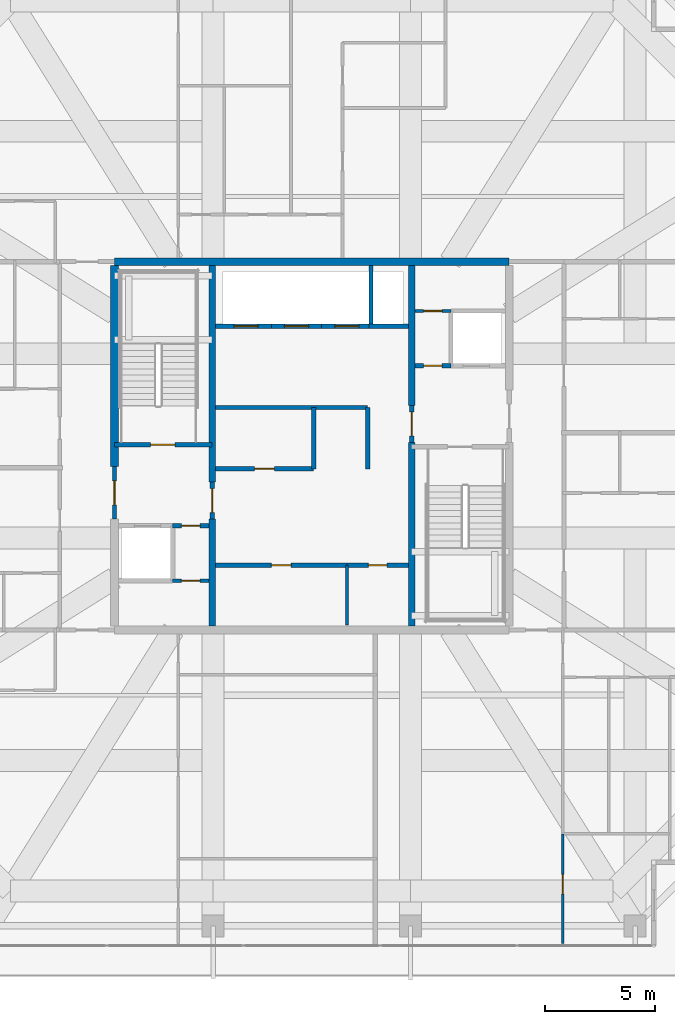
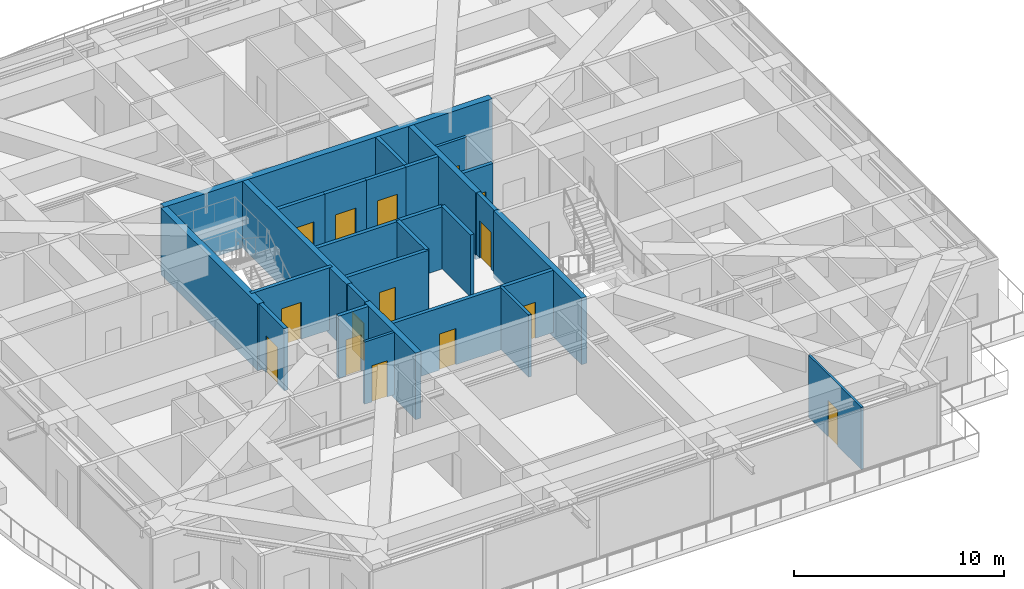
# One storey, part 30 of 40: 27 walls, 15 doors, 15 openings.
"""IFC4 building model written with IfcOpenShell, lengths in metres."""

from ifc_helpers import new_model, si_unit, direction, frame, frame_2d, origin, place, context, subcontext, project, spatial, rectangle, extrude, source, transform, mapped, material, layer, layer_set, type_object, element, fill, save


model = new_model("IFC4")

# Units and contexts
model_context = context("Model", 3, precision=1e-05, world=origin(), true_north=direction((0.0, 1.0)))
body_context = subcontext(model_context, "Body", "Model", "MODEL_VIEW")
ifc_project = project(units=[si_unit("LENGTHUNIT", "METRE"), si_unit("AREAUNIT", "SQUARE_METRE"), si_unit("VOLUMEUNIT", "CUBIC_METRE"), si_unit("PLANEANGLEUNIT", "RADIAN"), si_unit("MASSUNIT", "GRAM", prefix="KILO")], contexts=[model_context])

# Site, building, storey
site_placement = place(None, origin())
site = spatial("IfcSite", under=ifc_project, at=site_placement, CompositionType="ELEMENT")
building_placement = place(site_placement, origin())
building = spatial("IfcBuilding", under=site, at=building_placement, Name="Serunith Strait Residences", CompositionType="ELEMENT")
storey_placement = place(building_placement, frame((0.0, 0.0, 333.949951171875)))
storey = spatial("IfcBuildingStorey", under=building, at=storey_placement, Name="L83", CompositionType="ELEMENT", Elevation=333.949951171875)

# Wall, opening, door
ifc_material_1 = material(Name="Fire-rated masonry service closet wall", Category="masonry")
ifc_layer_1 = layer(ifc_material_1, 0.14990234375, Name="Fire-rated masonry service closet wall")
ifc_layer_set_1 = layer_set([ifc_layer_1], Name="Fire-rated masonry service closet wall")
wall_type_1 = type_object("IfcWallType", Name="IW-BOH-150", PredefinedType="PARTITIONING", material=ifc_layer_set_1)
wall_1_placement = place(storey_placement, frame((26.052001953125, 19.050048828125, 0.0), z_axis=(0.0, 0.0, 1.0), x_axis=(1.0, 0.0, 0.0)))
wall_1 = element("IfcWall", 1, at=wall_1_placement, inside=storey, type_object=wall_type_1, Name="L83 Partition Wall 011", PredefinedType="PARTITIONING", context=body_context, shape_type="SweptSolid", body=[
    extrude(rectangle(XDim=1.64794921875, YDim=0.14990234375, at=frame_2d((0.823974609375, 0.0))), origin(), (0.0, 0.0, 1.0), 3.610107421875),
])
opening_1_placement = place(wall_1_placement, frame((0.39892578125, 0.0, 0.0)))
opening_1 = element("IfcOpeningElement", 2, at=opening_1_placement, cuts=wall_1, Name="Opening FD-850", PredefinedType="OPENING", context=body_context, shape_type="SweptSolid", body=[
    extrude(rectangle(XDim=0.85009765625, YDim=2.10009765625, at=frame_2d((0.425048828125, 1.050048828125))), frame((0.0, 0.0849609375, 0.0), z_axis=(0.0, -1.0, 0.0), x_axis=(1.0, 0.0, 0.0)), (0.0, 0.0, 1.0), 0.169921875),
])
ifc_material_2 = material(Name="Powder-coated steel service closet door", Category="steel")
door_type_1 = type_object("IfcDoorType", Name="FD-BOH-850", OperationType="NOTDEFINED", PredefinedType="DOOR", material=ifc_material_2)
shared_shape_1 = source(origin(), body_context, "Body", "SweptSolid", [
    extrude(rectangle(XDim=0.85009765625, YDim=2.10009765625, at=frame_2d((0.425048828125, 1.050048828125))), frame((0.0, 0.02490234375, 0.0), z_axis=(0.0, -1.0, 0.0), x_axis=(1.0, 0.0, 0.0)), (0.0, 0.0, 1.0), 0.050048828125),
])
door_1_placement = place(opening_1_placement, origin())
door_1 = element("IfcDoor", 3, at=door_1_placement, inside=storey, type_object=door_type_1, Name="L83 Water Meter Door", OperationType="SINGLE_SWING_RIGHT", OverallHeight=2.10009765625, OverallWidth=0.85009765625, PredefinedType="DOOR", context=body_context, shape_type="MappedRepresentation", body=[
    mapped(shared_shape_1, transform((0.0, 0.0, 0.0), scale=1.0)),
])
fill(opening_1, door_1)

wall_2_placement = place(storey_placement, frame((37.10009765625, 31.35009765625, 0.0), z_axis=(0.0, 0.0, 1.0), x_axis=(1.0, 0.0, 0.0)))
wall_2 = element("IfcWall", 4, at=wall_2_placement, inside=storey, type_object=wall_type_1, Name="L83 Partition Wall 012", PredefinedType="PARTITIONING", context=body_context, shape_type="SweptSolid", body=[
    extrude(rectangle(XDim=1.64794921875, YDim=0.14990234375, at=frame_2d((0.823974609375, 0.0))), origin(), (0.0, 0.0, 1.0), 3.610107421875),
])
opening_2_placement = place(wall_2_placement, frame((0.39892578125, 0.0, 0.0)))
opening_2 = element("IfcOpeningElement", 5, at=opening_2_placement, cuts=wall_2, Name="Opening FD-850", PredefinedType="OPENING", context=body_context, shape_type="SweptSolid", body=[
    extrude(rectangle(XDim=0.85009765625, YDim=2.10009765625, at=frame_2d((0.425048828125, 1.050048828125))), frame((0.0, 0.0849609375, 0.0), z_axis=(0.0, -1.0, 0.0), x_axis=(1.0, 0.0, 0.0)), (0.0, 0.0, 1.0), 0.169921875),
])
door_2_placement = place(opening_2_placement, origin())
door_2 = element("IfcDoor", 6, at=door_2_placement, inside=storey, type_object=door_type_1, Name="L83 Refuse Store Door", OperationType="SINGLE_SWING_LEFT", OverallHeight=2.10009765625, OverallWidth=0.85009765625, PredefinedType="DOOR", context=body_context, shape_type="MappedRepresentation", body=[
    mapped(shared_shape_1, transform((0.0, 0.0, 0.0), scale=1.0)),
])
fill(opening_2, door_2)

# Wall
wall_3_placement = place(storey_placement, frame((34.0, 17.02001953125, 0.0), z_axis=(0.0, 0.0, 1.0), x_axis=(0.0, 1.0, 0.0)))
element("IfcWall", 7, at=wall_3_placement, inside=storey, type_object=wall_type_1, Name="L83 Partition Wall 015", PredefinedType="PARTITIONING", context=body_context, shape_type="SweptSolid", body=[
    extrude(rectangle(XDim=2.72998046875, YDim=0.14990234375, at=frame_2d((1.364990234375, 0.0))), origin(), (0.0, 0.0, 1.0), 3.610107421875),
])

# Wall, opening, door
ifc_material_3 = material(Name="Lightweight steel-stud gypsum partition", Category="steel")
ifc_layer_2 = layer(ifc_material_3, 0.1201171875, Name="Lightweight steel-stud gypsum partition")
ifc_layer_set_2 = layer_set([ifc_layer_2], Name="Lightweight steel-stud gypsum partition")
wall_type_2 = type_object("IfcWallType", Name="IW-PART-120", PredefinedType="PARTITIONING", material=ifc_layer_set_2)
wall_4_placement = place(storey_placement, frame((43.85009765625, 2.4951171875, 0.0), z_axis=(0.0, 0.0, 1.0), x_axis=(0.0, 1.0, 0.0)))
wall_4 = element("IfcWall", 8, at=wall_4_placement, inside=storey, type_object=wall_type_2, Name="L83 Partition Wall 046", PredefinedType="PARTITIONING", context=body_context, shape_type="SweptSolid", body=[
    extrude(rectangle(XDim=5.0078125, YDim=0.1201171875, at=frame_2d((2.50390625, 0.0))), origin(), (0.0, 0.0, 1.0), 3.610107421875),
])
opening_3_placement = place(wall_4_placement, frame((2.259033203125, 0.0, 0.0)))
opening_3 = element("IfcOpeningElement", 9, at=opening_3_placement, cuts=wall_4, Name="Opening D-RM900", PredefinedType="OPENING", context=body_context, shape_type="SweptSolid", body=[
    extrude(rectangle(XDim=0.89990234375, YDim=2.10009765625, at=frame_2d((0.449951171875, 1.050048828125))), frame((0.0, 0.070068359375, 0.0), z_axis=(0.0, -1.0, 0.0), x_axis=(1.0, 0.0, 0.0)), (0.0, 0.0, 1.0), 0.14013671875),
])
ifc_material_4 = material(Name="Engineered timber flush bedroom door", Category="wood")
door_type_2 = type_object("IfcDoorType", Name="ID-ROOM-900", OperationType="NOTDEFINED", PredefinedType="DOOR", material=ifc_material_4)
shared_shape_2 = source(origin(), body_context, "Body", "SweptSolid", [
    extrude(rectangle(XDim=0.89990234375, YDim=2.10009765625, at=frame_2d((0.449951171875, 1.050048828125))), frame((0.0, 0.02490234375, 0.0), z_axis=(0.0, -1.0, 0.0), x_axis=(1.0, 0.0, 0.0)), (0.0, 0.0, 1.0), 0.050048828125),
])
door_3_placement = place(opening_3_placement, origin())
door_3 = element("IfcDoor", 10, at=door_3_placement, inside=storey, type_object=door_type_2, Name="L83 Study 1 8302 Door", OperationType="SINGLE_SWING_RIGHT", OverallHeight=2.10009765625, OverallWidth=0.89990234375, PredefinedType="DOOR", context=body_context, shape_type="MappedRepresentation", body=[
    mapped(shared_shape_2, transform((0.0, 0.0, 0.0), scale=1.0)),
])
fill(opening_3, door_3)

ifc_material_5 = material(Name="Autoclaved aerated concrete blockwork", Category="masonry")
ifc_layer_3 = layer(ifc_material_5, 0.199951171875, Name="Autoclaved aerated concrete blockwork")
ifc_layer_set_3 = layer_set([ifc_layer_3], Name="Autoclaved aerated concrete blockwork")
wall_type_3 = type_object("IfcWallType", Name="IW-SHAFT-200", PredefinedType="STANDARD", material=ifc_layer_set_3)
wall_5_placement = place(storey_placement, frame((23.39990234375, 25.25, 0.0), z_axis=(0.0, 0.0, 1.0), x_axis=(1.0, 0.0, 0.0)))
wall_5 = element("IfcWall", 11, at=wall_5_placement, inside=storey, type_object=wall_type_3, Name="L83 ST-1 South Shaft Wall", PredefinedType="STANDARD", context=body_context, shape_type="SweptSolid", body=[
    extrude(rectangle(XDim=4.4501953125, YDim=0.199951171875, at=frame_2d((2.22509765625, 0.0))), origin(), (0.0, 0.0, 1.0), 3.610107421875),
])
opening_4_placement = place(wall_5_placement, frame((1.64990234375, 0.0, 0.0)))
opening_4 = element("IfcOpeningElement", 12, at=opening_4_placement, cuts=wall_5, Name="Opening FD-1100", PredefinedType="OPENING", context=body_context, shape_type="SweptSolid", body=[
    extrude(rectangle(XDim=1.10009765625, YDim=2.14990234375, at=frame_2d((0.550048828125, 1.074951171875))), frame((0.0, 0.10986328125, 0.0), z_axis=(0.0, -1.0, 0.0), x_axis=(1.0, 0.0, 0.0)), (0.0, 0.0, 1.0), 0.219970703125),
])
ifc_material_6 = material(Name="Galvanised steel fire door leaf", Category="steel")
door_type_3 = type_object("IfcDoorType", Name="FD-STAIR-1100", OperationType="NOTDEFINED", PredefinedType="DOOR", material=ifc_material_6)
shared_shape_3 = source(origin(), body_context, "Body", "SweptSolid", [
    extrude(rectangle(XDim=1.10009765625, YDim=2.14990234375, at=frame_2d((0.550048828125, 1.074951171875))), frame((0.0, 0.02490234375, 0.0), z_axis=(0.0, -1.0, 0.0), x_axis=(1.0, 0.0, 0.0)), (0.0, 0.0, 1.0), 0.050048828125),
])
door_4_placement = place(opening_4_placement, origin())
door_4 = element("IfcDoor", 13, at=door_4_placement, inside=storey, type_object=door_type_3, Name="L83 ST-1 Escape Stair Door", OperationType="SINGLE_SWING_LEFT", OverallHeight=2.14990234375, OverallWidth=1.10009765625, PredefinedType="DOOR", context=body_context, shape_type="MappedRepresentation", body=[
    mapped(shared_shape_3, transform((0.0, 0.0, 0.0), scale=1.0)),
])
fill(opening_4, door_4)

wall_6_placement = place(storey_placement, frame((28.0, 30.64990234375, 0.0), z_axis=(0.0, 0.0, 1.0), x_axis=(1.0, 0.0, 0.0)))
wall_6 = element("IfcWall", 14, at=wall_6_placement, inside=storey, type_object=wall_type_3, Name="L83 PL-7 South Shaft Wall", PredefinedType="STANDARD", context=body_context, shape_type="SweptSolid", body=[
    extrude(rectangle(XDim=2.550048828125, YDim=0.199951171875, at=frame_2d((1.27490234375, 0.0))), origin(), (0.0, 0.0, 1.0), 3.610107421875),
])
opening_5_placement = place(wall_6_placement, frame((0.85009765625, 0.0, 0.0)))
opening_5 = element("IfcOpeningElement", 15, at=opening_5_placement, cuts=wall_6, Name="Opening LD-1100", PredefinedType="OPENING", context=body_context, shape_type="SweptSolid", body=[
    extrude(rectangle(XDim=1.10009765625, YDim=2.199951171875, at=frame_2d((0.550048828125, 1.10009765625))), frame((0.0, 0.10986328125, 0.0), z_axis=(0.0, -1.0, 0.0), x_axis=(1.0, 0.0, 0.0)), (0.0, 0.0, 1.0), 0.219970703125),
])
ifc_material_7 = material(Name="Pale-champagne stainless landing door")
door_type_4 = type_object("IfcDoorType", Name="LD-LIFT-1100", OperationType="DOUBLE_DOOR_SLIDING", PredefinedType="DOOR", material=ifc_material_7)
shared_shape_4 = source(origin(), body_context, "Body", "SweptSolid", [
    extrude(rectangle(XDim=1.10009765625, YDim=2.199951171875, at=frame_2d((0.550048828125, 1.10009765625))), frame((0.0, 0.02490234375, 0.0), z_axis=(0.0, -1.0, 0.0), x_axis=(1.0, 0.0, 0.0)), (0.0, 0.0, 1.0), 0.050048828125),
])
door_5_placement = place(opening_5_placement, origin())
door_5 = element("IfcDoor", 16, at=door_5_placement, inside=storey, type_object=door_type_4, Name="L83 PL-7 Landing Door", OperationType="DOUBLE_DOOR_SLIDING", OverallHeight=2.199951171875, OverallWidth=1.10009765625, PredefinedType="DOOR", context=body_context, shape_type="MappedRepresentation", body=[
    mapped(shared_shape_4, transform((0.0, 0.0, 0.0), scale=1.0)),
])
fill(opening_5, door_5)

wall_7_placement = place(storey_placement, frame((30.550048828125, 30.64990234375, 0.0), z_axis=(0.0, 0.0, 1.0), x_axis=(1.0, 0.0, 0.0)))
wall_7 = element("IfcWall", 17, at=wall_7_placement, inside=storey, type_object=wall_type_3, Name="L83 PL-8 South Shaft Wall", PredefinedType="STANDARD", context=body_context, shape_type="SweptSolid", body=[
    extrude(rectangle(XDim=2.300048828125, YDim=0.199951171875, at=frame_2d((1.14990234375, 0.0))), origin(), (0.0, 0.0, 1.0), 3.610107421875),
])
opening_6_placement = place(wall_7_placement, frame((0.60009765625, 0.0, 0.0)))
opening_6 = element("IfcOpeningElement", 18, at=opening_6_placement, cuts=wall_7, Name="Opening LD-1100", PredefinedType="OPENING", context=body_context, shape_type="SweptSolid", body=[
    extrude(rectangle(XDim=1.10009765625, YDim=2.199951171875, at=frame_2d((0.550048828125, 1.10009765625))), frame((0.0, 0.10986328125, 0.0), z_axis=(0.0, -1.0, 0.0), x_axis=(1.0, 0.0, 0.0)), (0.0, 0.0, 1.0), 0.219970703125),
])
door_6_placement = place(opening_6_placement, origin())
door_6 = element("IfcDoor", 19, at=door_6_placement, inside=storey, type_object=door_type_4, Name="L83 PL-8 Landing Door", OperationType="DOUBLE_DOOR_SLIDING", OverallHeight=2.199951171875, OverallWidth=1.10009765625, PredefinedType="DOOR", context=body_context, shape_type="MappedRepresentation", body=[
    mapped(shared_shape_4, transform((0.0, 0.0, 0.0), scale=1.0)),
])
fill(opening_6, door_6)

wall_8_placement = place(storey_placement, frame((32.85009765625, 30.64990234375, 0.0), z_axis=(0.0, 0.0, 1.0), x_axis=(1.0, 0.0, 0.0)))
wall_8 = element("IfcWall", 20, at=wall_8_placement, inside=storey, type_object=wall_type_3, Name="L83 PL-9 South Shaft Wall", PredefinedType="STANDARD", context=body_context, shape_type="SweptSolid", body=[
    extrude(rectangle(XDim=2.14990234375, YDim=0.199951171875, at=frame_2d((1.074951171875, 0.0))), origin(), (0.0, 0.0, 1.0), 3.610107421875),
])
opening_7_placement = place(wall_8_placement, frame((0.60009765625, 0.0, 0.0)))
opening_7 = element("IfcOpeningElement", 21, at=opening_7_placement, cuts=wall_8, Name="Opening LD-1100", PredefinedType="OPENING", context=body_context, shape_type="SweptSolid", body=[
    extrude(rectangle(XDim=1.10009765625, YDim=2.199951171875, at=frame_2d((0.550048828125, 1.10009765625))), frame((0.0, 0.10986328125, 0.0), z_axis=(0.0, -1.0, 0.0), x_axis=(1.0, 0.0, 0.0)), (0.0, 0.0, 1.0), 0.219970703125),
])
door_7_placement = place(opening_7_placement, origin())
door_7 = element("IfcDoor", 22, at=door_7_placement, inside=storey, type_object=door_type_4, Name="L83 PL-9 Landing Door", OperationType="DOUBLE_DOOR_SLIDING", OverallHeight=2.199951171875, OverallWidth=1.10009765625, PredefinedType="DOOR", context=body_context, shape_type="MappedRepresentation", body=[
    mapped(shared_shape_4, transform((0.0, 0.0, 0.0), scale=1.0)),
])
fill(opening_7, door_7)

# Walls
wall_9_placement = place(storey_placement, frame((35.0, 30.64990234375, 0.0), z_axis=(0.0, 0.0, 1.0), x_axis=(1.0, 0.0, 0.0)))
element("IfcWall", 23, at=wall_9_placement, inside=storey, type_object=wall_type_3, Name="L83 SL-1 South Shaft Wall", PredefinedType="STANDARD", context=body_context, shape_type="SweptSolid", body=[
    extrude(rectangle(XDim=1.800048828125, YDim=0.199951171875, at=frame_2d((0.89990234375, 0.0))), origin(), (0.0, 0.0, 1.0), 3.610107421875),
])
wall_10_placement = place(storey_placement, frame((35.10009765625, 30.75, 0.0), z_axis=(0.0, 0.0, 1.0), x_axis=(0.0, 1.0, 0.0)))
element("IfcWall", 24, at=wall_10_placement, inside=storey, type_object=wall_type_3, Name="L83 SL-1 West Shaft Wall", PredefinedType="STANDARD", context=body_context, shape_type="SweptSolid", body=[
    extrude(rectangle(XDim=2.675048828125, YDim=0.199951171875, at=frame_2d((1.33740234375, 0.0))), origin(), (0.0, 0.0, 1.0), 3.610107421875),
])

# Wall, opening, door
wall_11_placement = place(storey_placement, frame((26.052001953125, 21.550048828125, 0.0), z_axis=(0.0, 0.0, 1.0), x_axis=(1.0, 0.0, 0.0)))
wall_11 = element("IfcWall", 25, at=wall_11_placement, inside=storey, type_object=wall_type_3, Name="L83 Partition Wall 003", PredefinedType="STANDARD", context=body_context, shape_type="SweptSolid", body=[
    extrude(rectangle(XDim=1.64794921875, YDim=0.199951171875, at=frame_2d((0.823974609375, 0.0))), origin(), (0.0, 0.0, 1.0), 3.610107421875),
])
opening_8_placement = place(wall_11_placement, frame((0.39892578125, 0.0, 0.0)))
opening_8 = element("IfcOpeningElement", 26, at=opening_8_placement, cuts=wall_11, Name="Opening FD-850", PredefinedType="OPENING", context=body_context, shape_type="SweptSolid", body=[
    extrude(rectangle(XDim=0.85009765625, YDim=2.10009765625, at=frame_2d((0.425048828125, 1.050048828125))), frame((0.0, 0.10986328125, 0.0), z_axis=(0.0, -1.0, 0.0), x_axis=(1.0, 0.0, 0.0)), (0.0, 0.0, 1.0), 0.219970703125),
])
door_8_placement = place(opening_8_placement, origin())
door_8 = element("IfcDoor", 27, at=door_8_placement, inside=storey, type_object=door_type_1, Name="L83 South-West Core Service Door", OperationType="SINGLE_SWING_RIGHT", OverallHeight=2.10009765625, OverallWidth=0.85009765625, PredefinedType="DOOR", context=body_context, shape_type="MappedRepresentation", body=[
    mapped(shared_shape_1, transform((0.0, 0.0, 0.0), scale=1.0)),
])
fill(opening_8, door_8)

wall_12_placement = place(storey_placement, frame((37.10009765625, 28.85009765625, 0.0), z_axis=(0.0, 0.0, 1.0), x_axis=(1.0, 0.0, 0.0)))
wall_12 = element("IfcWall", 28, at=wall_12_placement, inside=storey, type_object=wall_type_3, Name="L83 Partition Wall 006", PredefinedType="STANDARD", context=body_context, shape_type="SweptSolid", body=[
    extrude(rectangle(XDim=1.64794921875, YDim=0.199951171875, at=frame_2d((0.823974609375, 0.0))), origin(), (0.0, 0.0, 1.0), 3.610107421875),
])
opening_9_placement = place(wall_12_placement, frame((0.39892578125, 0.0, 0.0)))
opening_9 = element("IfcOpeningElement", 29, at=opening_9_placement, cuts=wall_12, Name="Opening FD-850", PredefinedType="OPENING", context=body_context, shape_type="SweptSolid", body=[
    extrude(rectangle(XDim=0.85009765625, YDim=2.10009765625, at=frame_2d((0.425048828125, 1.050048828125))), frame((0.0, 0.10986328125, 0.0), z_axis=(0.0, -1.0, 0.0), x_axis=(1.0, 0.0, 0.0)), (0.0, 0.0, 1.0), 0.219970703125),
])
door_9_placement = place(opening_9_placement, origin())
door_9 = element("IfcDoor", 30, at=door_9_placement, inside=storey, type_object=door_type_1, Name="L83 North-East Core Service Door", OperationType="SINGLE_SWING_LEFT", OverallHeight=2.10009765625, OverallWidth=0.85009765625, PredefinedType="DOOR", context=body_context, shape_type="MappedRepresentation", body=[
    mapped(shared_shape_1, transform((0.0, 0.0, 0.0), scale=1.0)),
])
fill(opening_9, door_9)

wall_13_placement = place(storey_placement, frame((23.39990234375, 21.85205078125, 0.0), z_axis=(0.0, 0.0, 1.0), x_axis=(0.0, 1.0, 0.0)))
wall_13 = element("IfcWall", 31, at=wall_13_placement, inside=storey, type_object=wall_type_3, Name="L83 Partition Wall 007", PredefinedType="STANDARD", context=body_context, shape_type="SweptSolid", body=[
    extrude(rectangle(XDim=2.39599609375, YDim=0.199951171875, at=frame_2d((1.197998046875, 0.0))), origin(), (0.0, 0.0, 1.0), 3.610107421875),
])
opening_10_placement = place(wall_13_placement, frame((0.64794921875, 0.0, 0.0)))
opening_10 = element("IfcOpeningElement", 32, at=opening_10_placement, cuts=wall_13, Name="Opening FD-FFL", PredefinedType="OPENING", context=body_context, shape_type="SweptSolid", body=[
    extrude(rectangle(XDim=1.10009765625, YDim=2.14990234375, at=frame_2d((0.550048828125, 1.074951171875))), frame((0.0, 0.10986328125, 0.0), z_axis=(0.0, -1.0, 0.0), x_axis=(1.0, 0.0, 0.0)), (0.0, 0.0, 1.0), 0.219970703125),
])
ifc_material_8 = material(Name="Glazed steel smoke-lobby fire door", Category="steel")
door_type_5 = type_object("IfcDoorType", Name="FD-FFL-1100", OperationType="NOTDEFINED", PredefinedType="DOOR", material=ifc_material_8)
door_10_placement = place(opening_10_placement, origin())
door_10 = element("IfcDoor", 33, at=door_10_placement, inside=storey, type_object=door_type_5, Name="L83 FFL-1 Corridor Fire Door", OperationType="SINGLE_SWING_RIGHT", OverallHeight=2.14990234375, OverallWidth=1.10009765625, PredefinedType="DOOR", context=body_context, shape_type="MappedRepresentation", body=[
    mapped(shared_shape_3, transform((0.0, 0.0, 0.0), scale=1.0)),
])
fill(opening_10, door_10)

wall_14_placement = place(storey_placement, frame((27.85009765625, 21.85205078125, 0.0), z_axis=(0.0, 0.0, 1.0), x_axis=(0.0, 1.0, 0.0)))
wall_14 = element("IfcWall", 34, at=wall_14_placement, inside=storey, type_object=wall_type_3, Name="L83 Partition Wall 009", PredefinedType="STANDARD", context=body_context, shape_type="SweptSolid", body=[
    extrude(rectangle(XDim=1.696044921875, YDim=0.199951171875, at=frame_2d((0.84814453125, 0.0))), origin(), (0.0, 0.0, 1.0), 3.610107421875),
])
opening_11_placement = place(wall_14_placement, frame((0.298095703125, 0.0, 0.0)))
opening_11 = element("IfcOpeningElement", 35, at=opening_11_placement, cuts=wall_14, Name="Opening FD-FFL", PredefinedType="OPENING", context=body_context, shape_type="SweptSolid", body=[
    extrude(rectangle(XDim=1.10009765625, YDim=2.14990234375, at=frame_2d((0.550048828125, 1.074951171875))), frame((0.0, 0.10986328125, 0.0), z_axis=(0.0, -1.0, 0.0), x_axis=(1.0, 0.0, 0.0)), (0.0, 0.0, 1.0), 0.219970703125),
])
door_11_placement = place(opening_11_placement, origin())
door_11 = element("IfcDoor", 36, at=door_11_placement, inside=storey, type_object=door_type_5, Name="L83 FFL-1 Lift Lobby Door", OperationType="SINGLE_SWING_RIGHT", OverallHeight=2.14990234375, OverallWidth=1.10009765625, PredefinedType="DOOR", context=body_context, shape_type="MappedRepresentation", body=[
    mapped(shared_shape_3, transform((0.0, 0.0, 0.0), scale=1.0)),
])
fill(opening_11, door_11)

wall_15_placement = place(storey_placement, frame((36.949951171875, 25.35205078125, 0.0), z_axis=(0.0, 0.0, 1.0), x_axis=(0.0, 1.0, 0.0)))
wall_15 = element("IfcWall", 37, at=wall_15_placement, inside=storey, type_object=wall_type_3, Name="L83 Partition Wall 010", PredefinedType="STANDARD", context=body_context, shape_type="SweptSolid", body=[
    extrude(rectangle(XDim=1.696044921875, YDim=0.199951171875, at=frame_2d((0.84814453125, 0.0))), origin(), (0.0, 0.0, 1.0), 3.610107421875),
])
opening_12_placement = place(wall_15_placement, frame((0.298095703125, 0.0, 0.0)))
opening_12 = element("IfcOpeningElement", 38, at=opening_12_placement, cuts=wall_15, Name="Opening FD-FFL", PredefinedType="OPENING", context=body_context, shape_type="SweptSolid", body=[
    extrude(rectangle(XDim=1.10009765625, YDim=2.14990234375, at=frame_2d((0.550048828125, 1.074951171875))), frame((0.0, 0.10986328125, 0.0), z_axis=(0.0, -1.0, 0.0), x_axis=(1.0, 0.0, 0.0)), (0.0, 0.0, 1.0), 0.219970703125),
])
door_12_placement = place(opening_12_placement, origin())
door_12 = element("IfcDoor", 39, at=door_12_placement, inside=storey, type_object=door_type_5, Name="L83 FFL-2 Lift Lobby Door", OperationType="SINGLE_SWING_LEFT", OverallHeight=2.14990234375, OverallWidth=1.10009765625, PredefinedType="DOOR", context=body_context, shape_type="MappedRepresentation", body=[
    mapped(shared_shape_3, transform((0.0, 0.0, 0.0), scale=1.0)),
])
fill(opening_12, door_12)

wall_16_placement = place(storey_placement, frame((28.0, 19.75, 0.0), z_axis=(0.0, 0.0, 1.0), x_axis=(1.0, 0.0, 0.0)))
wall_16 = element("IfcWall", 40, at=wall_16_placement, inside=storey, type_object=wall_type_3, Name="L83 Partition Wall 013", PredefinedType="STANDARD", context=body_context, shape_type="SweptSolid", body=[
    extrude(rectangle(XDim=6.0, YDim=0.199951171875, at=frame_2d((3.0, 0.0))), origin(), (0.0, 0.0, 1.0), 3.610107421875),
])
opening_13_placement = place(wall_16_placement, frame((2.550048828125, 0.0, 0.0)))
opening_13 = element("IfcOpeningElement", 41, at=opening_13_placement, cuts=wall_16, Name="Opening FD-900", PredefinedType="OPENING", context=body_context, shape_type="SweptSolid", body=[
    extrude(rectangle(XDim=0.89990234375, YDim=2.10009765625, at=frame_2d((0.449951171875, 1.050048828125))), frame((0.0, 0.10986328125, 0.0), z_axis=(0.0, -1.0, 0.0), x_axis=(1.0, 0.0, 0.0)), (0.0, 0.0, 1.0), 0.219970703125),
])
ifc_material_9 = material(Name="Powder-coated steel riser door", Category="steel")
door_type_6 = type_object("IfcDoorType", Name="FD-BOH-900", OperationType="NOTDEFINED", PredefinedType="DOOR", material=ifc_material_9)
door_13_placement = place(opening_13_placement, origin())
door_13 = element("IfcDoor", 42, at=door_13_placement, inside=storey, type_object=door_type_6, Name="L83 Telecoms Comms Door", OperationType="SINGLE_SWING_RIGHT", OverallHeight=2.10009765625, OverallWidth=0.89990234375, PredefinedType="DOOR", context=body_context, shape_type="MappedRepresentation", body=[
    mapped(shared_shape_2, transform((0.0, 0.0, 0.0), scale=1.0)),
])
fill(opening_13, door_13)

wall_17_placement = place(storey_placement, frame((34.001953125, 19.75, 0.0), z_axis=(0.0, 0.0, 1.0), x_axis=(1.0, 0.0, 0.0)))
wall_17 = element("IfcWall", 43, at=wall_17_placement, inside=storey, type_object=wall_type_3, Name="L83 Partition Wall 014", PredefinedType="STANDARD", context=body_context, shape_type="SweptSolid", body=[
    extrude(rectangle(XDim=2.798095703125, YDim=0.199951171875, at=frame_2d((1.39892578125, 0.0))), origin(), (0.0, 0.0, 1.0), 3.610107421875),
])
opening_14_placement = place(wall_17_placement, frame((0.97412109375, 0.0, 0.0)))
opening_14 = element("IfcOpeningElement", 44, at=opening_14_placement, cuts=wall_17, Name="Opening FD-850", PredefinedType="OPENING", context=body_context, shape_type="SweptSolid", body=[
    extrude(rectangle(XDim=0.85009765625, YDim=2.10009765625, at=frame_2d((0.425048828125, 1.050048828125))), frame((0.0, 0.10986328125, 0.0), z_axis=(0.0, -1.0, 0.0), x_axis=(1.0, 0.0, 0.0)), (0.0, 0.0, 1.0), 0.219970703125),
])
door_14_placement = place(opening_14_placement, origin())
door_14 = element("IfcDoor", 45, at=door_14_placement, inside=storey, type_object=door_type_1, Name="L83 Floor Linen Closet Door", OperationType="SINGLE_SWING_LEFT", OverallHeight=2.10009765625, OverallWidth=0.85009765625, PredefinedType="DOOR", context=body_context, shape_type="MappedRepresentation", body=[
    mapped(shared_shape_1, transform((0.0, 0.0, 0.0), scale=1.0)),
])
fill(opening_14, door_14)

# Walls
wall_18_placement = place(storey_placement, frame((28.0, 26.949951171875, 0.0), z_axis=(0.0, 0.0, 1.0), x_axis=(1.0, 0.0, 0.0)))
element("IfcWall", 46, at=wall_18_placement, inside=storey, type_object=wall_type_3, Name="L83 Partition Wall 016", PredefinedType="STANDARD", context=body_context, shape_type="SweptSolid", body=[
    extrude(rectangle(XDim=6.949951171875, YDim=0.199951171875, at=frame_2d((3.47509765625, 0.0))), origin(), (0.0, 0.0, 1.0), 3.610107421875),
])
wall_19_placement = place(storey_placement, frame((34.949951171875, 24.14990234375, 0.0), z_axis=(0.0, 0.0, 1.0), x_axis=(0.0, 1.0, 0.0)))
element("IfcWall", 47, at=wall_19_placement, inside=storey, type_object=wall_type_3, Name="L83 Partition Wall 017", PredefinedType="STANDARD", context=body_context, shape_type="SweptSolid", body=[
    extrude(rectangle(XDim=2.800048828125, YDim=0.199951171875, at=frame_2d((1.39990234375, 0.0))), origin(), (0.0, 0.0, 1.0), 3.610107421875),
])

# Wall, opening, door
wall_20_placement = place(storey_placement, frame((28.0, 24.14990234375, 0.0), z_axis=(0.0, 0.0, 1.0), x_axis=(1.0, 0.0, 0.0)))
wall_20 = element("IfcWall", 48, at=wall_20_placement, inside=storey, type_object=wall_type_3, Name="L83 Partition Wall 018", PredefinedType="STANDARD", context=body_context, shape_type="SweptSolid", body=[
    extrude(rectangle(XDim=4.47998046875, YDim=0.199951171875, at=frame_2d((2.239990234375, 0.0))), origin(), (0.0, 0.0, 1.0), 3.610107421875),
])
opening_15_placement = place(wall_20_placement, frame((1.7900390625, 0.0, 0.0)))
opening_15 = element("IfcOpeningElement", 49, at=opening_15_placement, cuts=wall_20, Name="Opening FD-900", PredefinedType="OPENING", context=body_context, shape_type="SweptSolid", body=[
    extrude(rectangle(XDim=0.89990234375, YDim=2.10009765625, at=frame_2d((0.449951171875, 1.050048828125))), frame((0.0, 0.10986328125, 0.0), z_axis=(0.0, -1.0, 0.0), x_axis=(1.0, 0.0, 0.0)), (0.0, 0.0, 1.0), 0.219970703125),
])
door_15_placement = place(opening_15_placement, origin())
door_15 = element("IfcDoor", 50, at=door_15_placement, inside=storey, type_object=door_type_6, Name="L83 Equipment Store Door", OperationType="SINGLE_SWING_RIGHT", OverallHeight=2.10009765625, OverallWidth=0.89990234375, PredefinedType="DOOR", context=body_context, shape_type="MappedRepresentation", body=[
    mapped(shared_shape_2, transform((0.0, 0.0, 0.0), scale=1.0)),
])
fill(opening_15, door_15)

# Walls
wall_21_placement = place(storey_placement, frame((32.47998046875, 24.14990234375, 0.0), z_axis=(0.0, 0.0, 1.0), x_axis=(0.0, 1.0, 0.0)))
element("IfcWall", 51, at=wall_21_placement, inside=storey, type_object=wall_type_3, Name="L83 Partition Wall 019", PredefinedType="STANDARD", context=body_context, shape_type="SweptSolid", body=[
    extrude(rectangle(XDim=2.800048828125, YDim=0.199951171875, at=frame_2d((1.39990234375, 0.0))), origin(), (0.0, 0.0, 1.0), 3.610107421875),
])
ifc_material_10 = material(Name="Concrete C60/75", Category="concrete")
ifc_layer_4 = layer(ifc_material_10, 0.300048828125, Name="Concrete C60/75")
ifc_layer_set_4 = layer_set([ifc_layer_4], Name="Concrete C60/75")
wall_type_4 = type_object("IfcWallType", Name="SW-300-C60", PredefinedType="SHEAR", material=ifc_layer_set_4)
wall_22_placement = place(storey_placement, frame((27.85009765625, 16.97509765625, -0.260009765625), z_axis=(0.0, 0.0, 1.0), x_axis=(0.0, 1.0, 0.0)))
element("IfcWall", 52, at=wall_22_placement, inside=storey, type_object=wall_type_4, Name="L83 Core Internal West Web South Pier", PredefinedType="SHEAR", context=body_context, shape_type="SweptSolid", body=[
    extrude(rectangle(XDim=4.875, YDim=0.300048828125, at=frame_2d((2.4375, 0.0))), origin(), (0.0, 0.0, 1.0), 3.8681640625),
])
wall_23_placement = place(storey_placement, frame((27.85009765625, 23.550048828125, -0.260009765625), z_axis=(0.0, 0.0, 1.0), x_axis=(0.0, 1.0, 0.0)))
element("IfcWall", 53, at=wall_23_placement, inside=storey, type_object=wall_type_4, Name="L83 Core Internal West Web North Pier", PredefinedType="SHEAR", context=body_context, shape_type="SweptSolid", body=[
    extrude(rectangle(XDim=9.875, YDim=0.300048828125, at=frame_2d((4.9375, 0.0))), origin(), (0.0, 0.0, 1.0), 3.8681640625),
])
wall_24_placement = place(storey_placement, frame((36.949951171875, 16.97509765625, -0.260009765625), z_axis=(0.0, 0.0, 1.0), x_axis=(0.0, 1.0, 0.0)))
element("IfcWall", 54, at=wall_24_placement, inside=storey, type_object=wall_type_4, Name="L83 Core Internal East Web South Pier", PredefinedType="SHEAR", context=body_context, shape_type="SweptSolid", body=[
    extrude(rectangle(XDim=8.375, YDim=0.300048828125, at=frame_2d((4.1875, 0.0))), origin(), (0.0, 0.0, 1.0), 3.8681640625),
])
wall_25_placement = place(storey_placement, frame((36.949951171875, 27.050048828125, -0.260009765625), z_axis=(0.0, 0.0, 1.0), x_axis=(0.0, 1.0, 0.0)))
element("IfcWall", 55, at=wall_25_placement, inside=storey, type_object=wall_type_4, Name="L83 Core Internal East Web North Pier", PredefinedType="SHEAR", context=body_context, shape_type="SweptSolid", body=[
    extrude(rectangle(XDim=6.375, YDim=0.300048828125, at=frame_2d((3.1875, 0.0))), origin(), (0.0, 0.0, 1.0), 3.8681640625),
])
ifc_layer_5 = layer(ifc_material_10, 0.35009765625, Name="Concrete C60/75")
ifc_layer_set_5 = layer_set([ifc_layer_5], Name="Concrete C60/75")
wall_type_5 = type_object("IfcWallType", Name="SW-350-C60", PredefinedType="SHEAR", material=ifc_layer_set_5)
wall_26_placement = place(storey_placement, frame((41.39990234375, 33.60009765625, -0.260009765625), z_axis=(0.0, 0.0, 1.0), x_axis=(-1.0, 0.0, 0.0)))
element("IfcWall", 56, at=wall_26_placement, inside=storey, type_object=wall_type_5, Name="L83 Core North Shear Wall", PredefinedType="SHEAR", context=body_context, shape_type="SweptSolid", body=[
    extrude(rectangle(XDim=18.0, YDim=0.35009765625, at=frame_2d((9.0, 0.0))), origin(), (0.0, 0.0, 1.0), 3.8681640625),
])
wall_27_placement = place(storey_placement, frame((23.39990234375, 24.25, -0.260009765625), z_axis=(0.0, 0.0, 1.0), x_axis=(0.0, 1.0, 0.0)))
element("IfcWall", 57, at=wall_27_placement, inside=storey, type_object=wall_type_5, Name="L83 Core West Shear Wall North Pier", PredefinedType="SHEAR", context=body_context, shape_type="SweptSolid", body=[
    extrude(rectangle(XDim=9.175048828125, YDim=0.35009765625, at=frame_2d((4.58740234375, 0.0))), origin(), (0.0, 0.0, 1.0), 3.8681640625),
])

save(model, "model.ifc")
